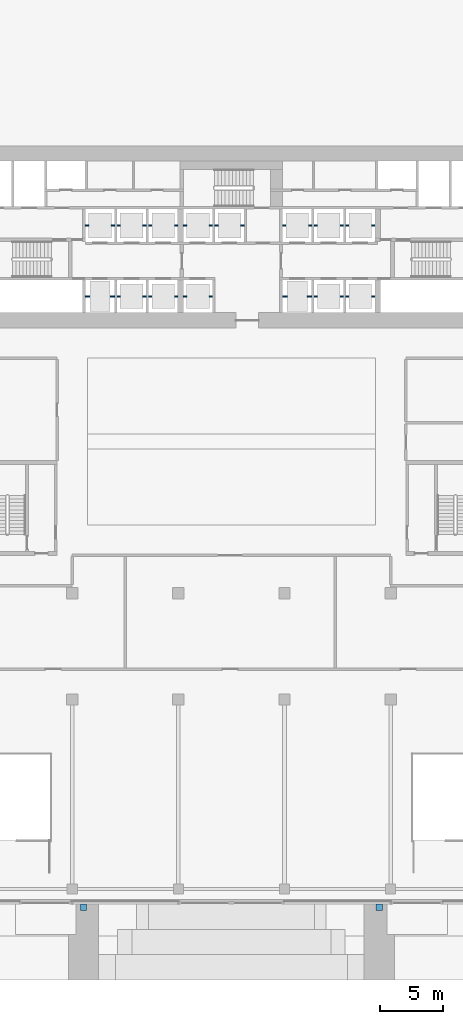
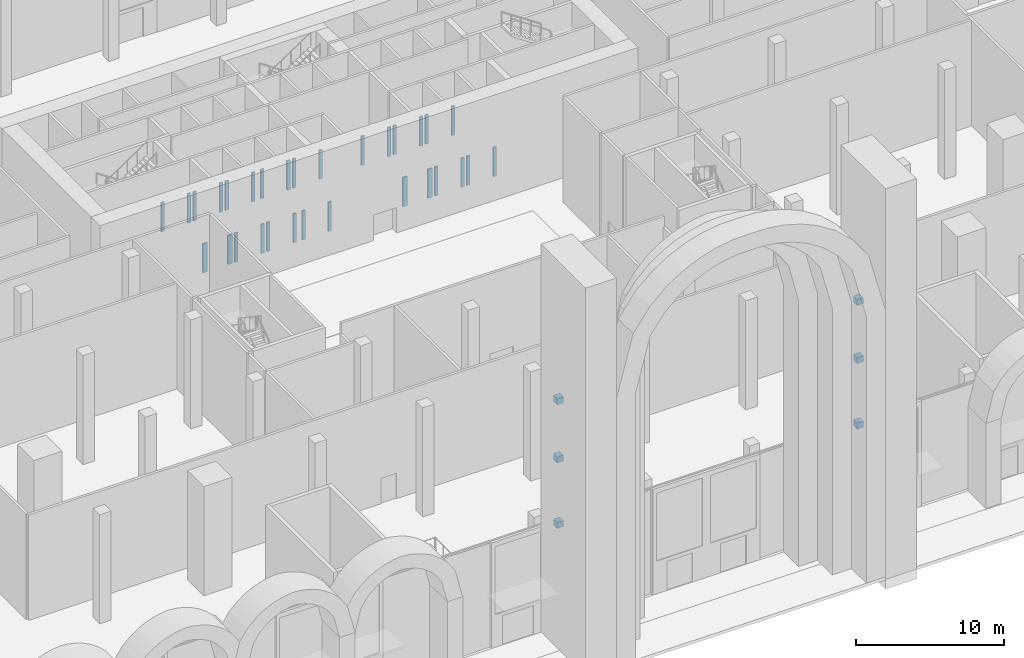
# One storey, part 33 of 43: 36 discrete accessories.
"""IFC4 building model written with IfcOpenShell, lengths in metres."""

from ifc_helpers import new_model, si_unit, direction, frame, origin, origin_2d, place, context, subcontext, project, spatial, rectangle, extrude, element, save


model = new_model("IFC4")

# Units and contexts
model_context = context("Model", 3, precision=1e-05, world=origin(), true_north=direction((0.0, 1.0)))
body_context = subcontext(model_context, "Body", "Model", "MODEL_VIEW")
ifc_project = project(units=[si_unit("LENGTHUNIT", "METRE"), si_unit("AREAUNIT", "SQUARE_METRE"), si_unit("VOLUMEUNIT", "CUBIC_METRE"), si_unit("PLANEANGLEUNIT", "RADIAN"), si_unit("MASSUNIT", "GRAM", prefix="KILO")], contexts=[model_context])

# Site, building, storey
site_placement = place(None, origin())
site = spatial("IfcSite", under=ifc_project, at=site_placement, CompositionType="ELEMENT")
building_placement = place(site_placement, origin())
building = spatial("IfcBuilding", under=site, at=building_placement, Name="Saffron Gate Tower", CompositionType="ELEMENT")
storey_placement = place(building_placement, origin())
storey = spatial("IfcBuildingStorey", under=building, at=storey_placement, Name="L00", CompositionType="ELEMENT", Elevation=0.0)

# Discrete accessories
for number, where, z_axis, x_axis, name in (
    (1, (75.89990234375, 15.35009765625, 8.5), (0.0, 0.0, 1.0), (1.0, 0.0, 0.0), "IWAN PIER bracket"),
    (2, (75.89990234375, 15.35009765625, 13.89990234375), (0.0, 0.0, 1.0), (1.0, 0.0, 0.0), "IWAN PIER bracket"),
    (3, (75.89990234375, 15.35009765625, 18.699951171875), (0.0, 0.0, 1.0), (1.0, 0.0, 0.0), "IWAN PIER bracket"),
    (4, (99.300048828125, 15.35009765625, 8.5), (0.0, 0.0, 1.0), (1.0, 0.0, 0.0), "IWAN PIER bracket"),
    (5, (99.300048828125, 15.35009765625, 13.89990234375), (0.0, 0.0, 1.0), (1.0, 0.0, 0.0), "IWAN PIER bracket"),
    (6, (99.300048828125, 15.35009765625, 18.699951171875), (0.0, 0.0, 1.0), (1.0, 0.0, 0.0), "IWAN PIER bracket"),
):
    element("IfcDiscreteAccessory", number, at=place(storey_placement, frame(where, z_axis=z_axis, x_axis=x_axis)), inside=storey, Name=name, PredefinedType="BRACKET", context=body_context, shape_type="SweptSolid", body=[
        extrude(rectangle(XDim=0.5, YDim=0.5, at=origin_2d()), origin(), (0.0, 0.0, 1.0), 0.5),
    ])
for number, where, z_axis, x_axis, name in (
    (7, (83.925048828125, 69.300048828125, 0.0), (0.0, 0.0, 1.0), (1.0, 0.0, 0.0), "SL1 guide rail bracket"),
    (8, (85.97509765625, 69.300048828125, 0.0), (0.0, 0.0, 1.0), (1.0, 0.0, 0.0), "SL1 guide rail bracket"),
    (9, (86.425048828125, 69.300048828125, 0.0), (0.0, 0.0, 1.0), (1.0, 0.0, 0.0), "SL2 guide rail bracket"),
    (10, (88.47509765625, 69.300048828125, 0.0), (0.0, 0.0, 1.0), (1.0, 0.0, 0.0), "SL2 guide rail bracket"),
    (11, (83.925048828125, 63.699951171875, 0.0), (0.0, 0.0, 1.0), (1.0, 0.0, 0.0), "SL3 guide rail bracket"),
    (12, (85.97509765625, 63.699951171875, 0.0), (0.0, 0.0, 1.0), (1.0, 0.0, 0.0), "SL3 guide rail bracket"),
):
    element("IfcDiscreteAccessory", number, at=place(storey_placement, frame(where, z_axis=z_axis, x_axis=x_axis)), inside=storey, Name=name, PredefinedType="BRACKET", context=body_context, shape_type="SweptSolid", body=[
        extrude(rectangle(XDim=0.25, YDim=0.1201171875, at=origin_2d()), origin(), (0.0, 0.0, 1.0), 2.39990234375),
    ])
for number, where, z_axis, x_axis, name in (
    (13, (76.22509765625, 63.699951171875, 0.0), (0.0, 0.0, 1.0), (1.0, 0.0, 0.0), "LR1 guide rail bracket"),
    (14, (78.175048828125, 63.699951171875, 0.0), (0.0, 0.0, 1.0), (1.0, 0.0, 0.0), "LR1 guide rail bracket"),
):
    element("IfcDiscreteAccessory", number, at=place(storey_placement, frame(where, z_axis=z_axis, x_axis=x_axis)), inside=storey, Name=name, PredefinedType="BRACKET", context=body_context, shape_type="SweptSolid", body=[
        extrude(rectangle(XDim=0.35009765625, YDim=0.1201171875, at=origin_2d()), origin(), (0.0, 0.0, 1.0), 2.39990234375),
    ])
for number, where, z_axis, x_axis, name in (
    (15, (78.675048828125, 63.699951171875, 0.0), (0.0, 0.0, 1.0), (1.0, 0.0, 0.0), "LR2 guide rail bracket"),
    (16, (80.72509765625, 63.699951171875, 0.0), (0.0, 0.0, 1.0), (1.0, 0.0, 0.0), "LR2 guide rail bracket"),
    (17, (81.175048828125, 63.699951171875, 0.0), (0.0, 0.0, 1.0), (1.0, 0.0, 0.0), "LR3 guide rail bracket"),
    (18, (83.22509765625, 63.699951171875, 0.0), (0.0, 0.0, 1.0), (1.0, 0.0, 0.0), "LR3 guide rail bracket"),
    (19, (76.175048828125, 69.300048828125, 0.0), (0.0, 0.0, 1.0), (1.0, 0.0, 0.0), "LR4 guide rail bracket"),
    (20, (78.22509765625, 69.300048828125, 0.0), (0.0, 0.0, 1.0), (1.0, 0.0, 0.0), "LR4 guide rail bracket"),
    (21, (78.675048828125, 69.300048828125, 0.0), (0.0, 0.0, 1.0), (1.0, 0.0, 0.0), "LR5 guide rail bracket"),
    (22, (80.72509765625, 69.300048828125, 0.0), (0.0, 0.0, 1.0), (1.0, 0.0, 0.0), "LR5 guide rail bracket"),
    (23, (81.175048828125, 69.300048828125, 0.0), (0.0, 0.0, 1.0), (1.0, 0.0, 0.0), "LR6 guide rail bracket"),
    (24, (83.22509765625, 69.300048828125, 0.0), (0.0, 0.0, 1.0), (1.0, 0.0, 0.0), "LR6 guide rail bracket"),
):
    element("IfcDiscreteAccessory", number, at=place(storey_placement, frame(where, z_axis=z_axis, x_axis=x_axis)), inside=storey, Name=name, PredefinedType="BRACKET", context=body_context, shape_type="SweptSolid", body=[
        extrude(rectangle(XDim=0.25, YDim=0.1201171875, at=origin_2d()), origin(), (0.0, 0.0, 1.0), 2.39990234375),
    ])
for number, where, z_axis, x_axis, name in (
    (25, (91.824951171875, 63.699951171875, 0.0), (0.0, 0.0, 1.0), (1.0, 0.0, 0.0), "HR1 guide rail bracket"),
    (26, (93.77490234375, 63.699951171875, 0.0), (0.0, 0.0, 1.0), (1.0, 0.0, 0.0), "HR1 guide rail bracket"),
):
    element("IfcDiscreteAccessory", number, at=place(storey_placement, frame(where, z_axis=z_axis, x_axis=x_axis)), inside=storey, Name=name, PredefinedType="BRACKET", context=body_context, shape_type="SweptSolid", body=[
        extrude(rectangle(XDim=0.35009765625, YDim=0.1201171875, at=origin_2d()), origin(), (0.0, 0.0, 1.0), 2.39990234375),
    ])
for number, where, z_axis, x_axis, name in (
    (27, (94.27490234375, 63.699951171875, 0.0), (0.0, 0.0, 1.0), (1.0, 0.0, 0.0), "HR2 guide rail bracket"),
    (28, (96.324951171875, 63.699951171875, 0.0), (0.0, 0.0, 1.0), (1.0, 0.0, 0.0), "HR2 guide rail bracket"),
    (29, (96.77490234375, 63.699951171875, 0.0), (0.0, 0.0, 1.0), (1.0, 0.0, 0.0), "HR3 guide rail bracket"),
    (30, (98.824951171875, 63.699951171875, 0.0), (0.0, 0.0, 1.0), (1.0, 0.0, 0.0), "HR3 guide rail bracket"),
    (31, (91.77490234375, 69.300048828125, 0.0), (0.0, 0.0, 1.0), (1.0, 0.0, 0.0), "HR4 guide rail bracket"),
    (32, (93.824951171875, 69.300048828125, 0.0), (0.0, 0.0, 1.0), (1.0, 0.0, 0.0), "HR4 guide rail bracket"),
    (33, (94.27490234375, 69.300048828125, 0.0), (0.0, 0.0, 1.0), (1.0, 0.0, 0.0), "HR5 guide rail bracket"),
    (34, (96.324951171875, 69.300048828125, 0.0), (0.0, 0.0, 1.0), (1.0, 0.0, 0.0), "HR5 guide rail bracket"),
    (35, (96.77490234375, 69.300048828125, 0.0), (0.0, 0.0, 1.0), (1.0, 0.0, 0.0), "HR6 guide rail bracket"),
    (36, (98.824951171875, 69.300048828125, 0.0), (0.0, 0.0, 1.0), (1.0, 0.0, 0.0), "HR6 guide rail bracket"),
):
    element("IfcDiscreteAccessory", number, at=place(storey_placement, frame(where, z_axis=z_axis, x_axis=x_axis)), inside=storey, Name=name, PredefinedType="BRACKET", context=body_context, shape_type="SweptSolid", body=[
        extrude(rectangle(XDim=0.25, YDim=0.1201171875, at=origin_2d()), origin(), (0.0, 0.0, 1.0), 2.39990234375),
    ])

save(model, "model.ifc")
